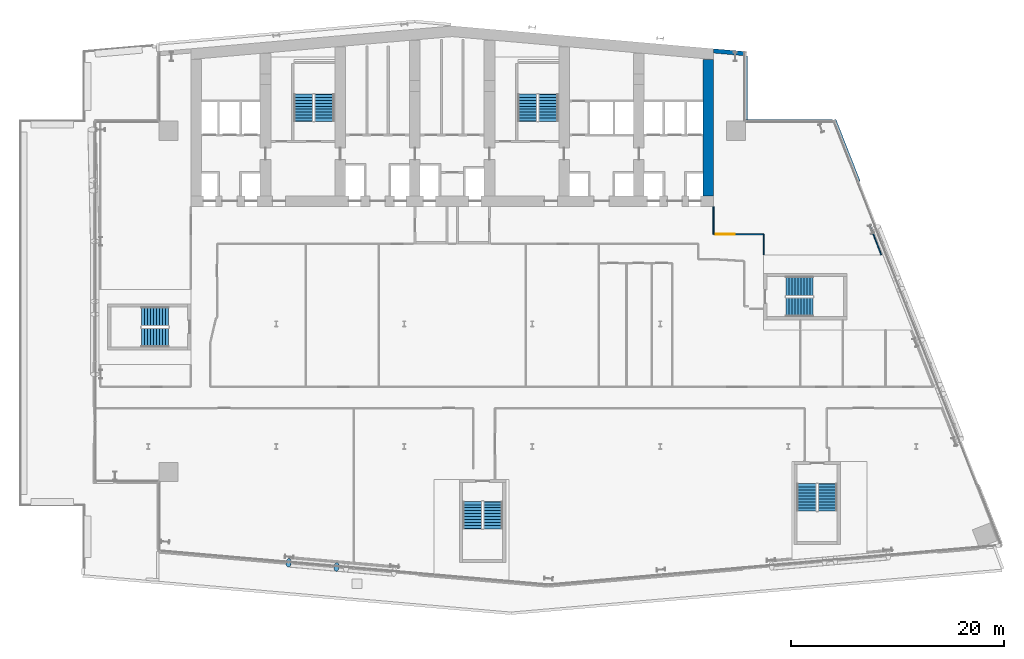
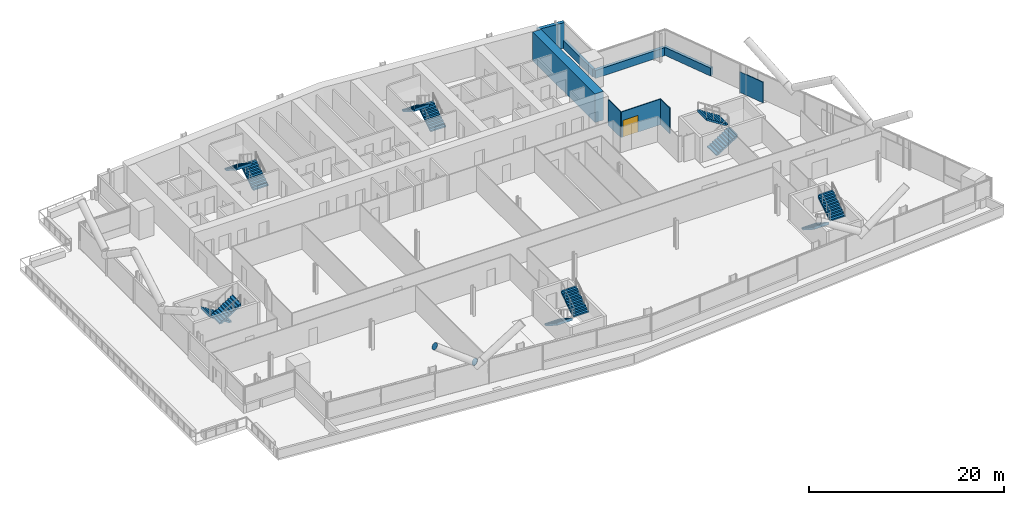
# One storey, part 19 of 26: 12 stair flights, 9 walls, 2 discrete accessories, 1 door, 1 opening, 6 elements without a shape of their own.
"""IFC4 building model written with IfcOpenShell, lengths in metres."""

from ifc_helpers import new_model, si_unit, direction, frame, frame_2d, origin, origin_2d, place, context, subcontext, project, spatial, polyline, rectangle, circle, outline, extrude, material, layer, layer_set, material_profile, profile_set, type_object, element, fill, aggregate, save


model = new_model("IFC4")

# Units and contexts
model_context = context("Model", 3, precision=1e-05, world=origin(), true_north=direction((0.0, 1.0)))
body_context = subcontext(model_context, "Body", "Model", "MODEL_VIEW")
ifc_project = project(units=[si_unit("LENGTHUNIT", "METRE"), si_unit("AREAUNIT", "SQUARE_METRE"), si_unit("VOLUMEUNIT", "CUBIC_METRE"), si_unit("PLANEANGLEUNIT", "RADIAN"), si_unit("MASSUNIT", "GRAM", prefix="KILO")], contexts=[model_context])

# Site, building, storey
site_placement = place(None, origin())
site = spatial("IfcSite", under=ifc_project, at=site_placement, CompositionType="ELEMENT")
building_placement = place(site_placement, origin())
building = spatial("IfcBuilding", under=site, at=building_placement, Name="Wharfspan Tower", CompositionType="ELEMENT")
storey_placement = place(building_placement, frame((0.0, 0.0, 96.699951)))
storey = spatial("IfcBuildingStorey", under=building, at=storey_placement, Name="L21", CompositionType="ELEMENT", Elevation=96.699951)

# Wall
ifc_material_1 = material(Name="Gypsum board on steel studs", Category="steel")
ifc_layer_1 = layer(ifc_material_1, 0.100098)
ifc_layer_set_1 = layer_set([ifc_layer_1], Name="Gypsum board on steel studs")
wall_type_1 = type_object("IfcWallType", Name="Compartment wall 100 EI 60", PredefinedType="PARTITIONING", material=ifc_layer_set_1)
wall_1_placement = place(storey_placement, frame((65.0, 31.399902, 0.0), z_axis=(0.0, 0.0, 1.0), x_axis=(0.0, 1.0, 0.0)))
element("IfcWall", 1, at=wall_1_placement, inside=storey, type_object=wall_type_1, Name="Partition L21.w030", PredefinedType="PARTITIONING", context=body_context, shape_type="SweptSolid", body=[
    extrude(rectangle(XDim=2.580078, YDim=0.100098, at=frame_2d((1.290039, 0.0))), origin(), (0.0, 0.0, 1.0), 3.199951),
])

# Wall, opening, door
wall_2_placement = place(storey_placement, frame((65.0, 31.399902, 0.0), z_axis=(0.0, 0.0, 1.0), x_axis=(1.0, 0.0, 0.0)))
wall_2 = element("IfcWall", 2, at=wall_2_placement, inside=storey, type_object=wall_type_1, Name="Partition L21.w031", PredefinedType="PARTITIONING", context=body_context, shape_type="SweptSolid", body=[
    extrude(rectangle(XDim=4.689941, YDim=0.100098, at=frame_2d((2.344971, 0.0))), origin(), (0.0, 0.0, 1.0), 3.199951),
])
opening_placement = place(wall_2_placement, frame((0.189941, 0.0, 0.0)))
opening = element("IfcOpeningElement", 3, at=opening_placement, cuts=wall_2, Name="Opening B1-17", PredefinedType="OPENING", context=body_context, shape_type="SweptSolid", body=[
    extrude(rectangle(XDim=1.800049, YDim=2.100098, at=frame_2d((0.899902, 1.050049))), frame((0.0, 0.060059, 0.0), z_axis=(0.0, -1.0, 0.0), x_axis=(1.0, 0.0, 0.0)), (0.0, 0.0, 1.0), 0.120117),
])
ifc_material_2 = material(Name="Fire-rated timber door leaf in steel frame", Category="steel")
door_type = type_object("IfcDoorType", Name="Door 1800 FD30S Double", OperationType="DOUBLE_DOOR_SINGLE_SWING", PredefinedType="DOOR", material=ifc_material_2)
door_placement = place(opening_placement, origin())
door = element("IfcDoor", 4, at=door_placement, inside=storey, type_object=door_type, Name="Door B1-17", OperationType="DOUBLE_DOOR_SINGLE_SWING", OverallHeight=2.100098, OverallWidth=1.800049, PredefinedType="DOOR", context=body_context, shape_type="SweptSolid", body=[
    extrude(rectangle(XDim=1.800049, YDim=2.100098, at=frame_2d((0.899902, 1.050049))), frame((0.0, 0.024902, 0.0), z_axis=(0.0, -1.0, 0.0), x_axis=(1.0, 0.0, 0.0)), (0.0, 0.0, 1.0), 0.050049),
])
fill(opening, door)

# Walls
wall_3_placement = place(storey_placement, frame((69.689941, 29.469971, 0.0), z_axis=(0.0, 0.0, 1.0), x_axis=(0.0, 1.0, 0.0)))
element("IfcWall", 5, at=wall_3_placement, inside=storey, type_object=wall_type_1, Name="Partition L21.w036", PredefinedType="PARTITIONING", context=body_context, shape_type="SweptSolid", body=[
    extrude(rectangle(XDim=1.929932, YDim=0.100098, at=frame_2d((0.964844, 0.0))), origin(), (0.0, 0.0, 1.0), 3.199951),
])
ifc_material_3 = material(Name="Concrete C70/85", Category="concrete")
ifc_layer_2 = layer(ifc_material_3, 1.0)
ifc_layer_set_2 = layer_set([ifc_layer_2], Name="Concrete C70/85")
wall_type_2 = type_object("IfcWallType", Name="Core wall 1000 C70/85", PredefinedType="SHEAR", material=ifc_layer_set_2)
wall_4_placement = place(storey_placement, frame((64.5, 35.0, 0.0), z_axis=(0.0, 0.0, 1.0), x_axis=(0.0, 1.0, 0.0)))
element("IfcWall", 6, at=wall_4_placement, inside=storey, type_object=wall_type_2, Name="Core cross wall EW1 L21", PredefinedType="SHEAR", context=body_context, shape_type="SweptSolid", body=[
    extrude(rectangle(XDim=12.783691, YDim=1.0, at=frame_2d((6.391846, 0.0))), origin(), (0.0, 0.0, 1.0), 3.600098),
])
ifc_layer_3 = layer(ifc_material_1, 0.100098)
ifc_layer_set_3 = layer_set([ifc_layer_3], Name="Gypsum board on steel studs")
wall_type_3 = type_object("IfcWallType", Name="Partition 100", PredefinedType="PARTITIONING", material=ifc_layer_set_3)
wall_5_placement = place(storey_placement, frame((80.737061, 29.469971, 0.0), z_axis=(0.0, 0.0, 1.0), x_axis=(-0.366592, 0.930378, 0.0)))
element("IfcWall", 7, at=wall_5_placement, inside=storey, type_object=wall_type_3, Name="Partition L21.w047", PredefinedType="PARTITIONING", context=body_context, shape_type="SweptSolid", body=[
    extrude(rectangle(XDim=3.074219, YDim=0.100098, at=frame_2d((1.537109, 0.0))), origin(), (0.0, 0.0, 1.0), 2.580078),
])
ifc_material_4 = material(Name="Concrete C40/50", Category="concrete")
ifc_layer_4 = layer(ifc_material_4, 0.350098)
ifc_layer_set_4 = layer_set([ifc_layer_4], Name="Concrete C40/50")
wall_type_4 = type_object("IfcWallType", Name="SPANDREL EXPOSED CONCRETE 350", PredefinedType="SOLIDWALL", material=ifc_layer_set_4)
wall_6_placement = place(storey_placement, frame((78.586426, 36.343994, 0.0), z_axis=(0.0, 0.0, 1.0), x_axis=(-0.365792, 0.930699, 0.0)))
element("IfcWall", 8, at=wall_6_placement, inside=storey, type_object=wall_type_4, Name="Spandrel upstand L21 E 2", PredefinedType="SOLIDWALL", context=body_context, shape_type="SweptSolid", body=[
    extrude(rectangle(XDim=6.20166, YDim=0.350098, at=frame_2d((3.10083, 0.0))), origin(), (0.0, 0.0, 1.0), 1.0),
])
wall_7_placement = place(storey_placement, frame((76.155029, 42.004883, 0.0), z_axis=(0.0, 0.0, 1.0), x_axis=(-1.0, 0.0, 0.0)))
element("IfcWall", 9, at=wall_7_placement, inside=storey, type_object=wall_type_4, Name="Spandrel upstand L21 NRE-H", PredefinedType="SOLIDWALL", context=body_context, shape_type="SweptSolid", body=[
    extrude(rectangle(XDim=8.155029, YDim=0.350098, at=frame_2d((4.077637, 0.0))), origin(), (0.0, 0.0, 1.0), 1.0),
])
wall_8_placement = place(storey_placement, frame((68.004883, 42.179932, 0.0), z_axis=(0.0, 0.0, 1.0), x_axis=(0.0, 1.0, 0.0)))
element("IfcWall", 10, at=wall_8_placement, inside=storey, type_object=wall_type_4, Name="Spandrel upstand L21 NRE-V", PredefinedType="SOLIDWALL", context=body_context, shape_type="SweptSolid", body=[
    extrude(rectangle(XDim=5.946533, YDim=0.350098, at=frame_2d((2.973145, 0.0))), origin(), (0.0, 0.0, 1.0), 1.0),
])
ifc_layer_5 = layer(ifc_material_4, 0.399902)
ifc_layer_set_5 = layer_set([ifc_layer_5], Name="Concrete C40/50")
wall_type_5 = type_object("IfcWallType", Name="WALL EXPOSED CONCRETE 400", PredefinedType="SOLIDWALL", material=ifc_layer_set_5)
wall_9_placement = place(storey_placement, frame((67.982666, 48.325684, 0.0), z_axis=(0.0, 0.0, 1.0), x_axis=(-0.996194, 0.087168, 0.0)))
element("IfcWall", 11, at=wall_9_placement, inside=storey, type_object=wall_type_5, Name="Rear wall N2", PredefinedType="SOLIDWALL", context=body_context, shape_type="SweptSolid", body=[
    extrude(rectangle(XDim=2.994141, YDim=0.399902, at=frame_2d((1.49707, 0.0))), origin(), (0.0, 0.0, 1.0), 3.199951),
])

# Stair, stair flights
stair_type = type_object("IfcStairType", Name="Half-turn stair 20 risers 180 mm", PredefinedType="HALF_TURN_STAIR", material=ifc_material_4)
stair_1_placement = place(storey_placement, origin())
stair_1 = element("IfcStair", 12, at=stair_1_placement, inside=storey, type_object=stair_type, Name="L21 stair ST1", PredefinedType="HALF_TURN_STAIR")
stair_flight_type = type_object("IfcStairFlightType", Name="Stair flight 20 risers 180 mm", PredefinedType="STRAIGHT", material=ifc_material_4)
stair_flight_1_placement = place(storey_placement, frame((28.5, 42.0, 0.0), z_axis=(0.0, 0.0, 1.0), x_axis=(0.0, 1.0, 0.0)))
stair_flight_1 = element("IfcStairFlight", 13, at=stair_flight_1_placement, type_object=stair_flight_type, Name="ST1 flight 1", NumberOfRisers=10, NumberOfTreads=9, PredefinedType="STRAIGHT", RiserHeight=0.18, TreadLength=0.28, context=body_context, shape_type="SweptSolid", body=[
    extrude(outline(polyline([(-0.011963, 0.0), (-0.011963, 0.179932), (0.0, 0.179932), (0.280029, 0.179932), (0.280029, 0.360107), (0.560059, 0.360107), (0.560059, 0.540039), (0.840088, 0.540039), (0.840088, 0.719971), (1.120117, 0.719971), (1.120117, 0.899902), (1.399902, 0.899902), (1.399902, 1.080078), (1.679932, 1.080078), (1.679932, 1.26001), (1.959961, 1.26001), (1.959961, 1.439941), (2.23999, 1.439941), (2.23999, 1.620117), (2.52002, 1.620117), (2.531982, 1.800049), (2.531982, 1.441895), (0.2771, 0.0), (-0.011963, 0.0)])), frame((0.0, 0.899902, 0.0), z_axis=(0.0, -1.0, 0.0), x_axis=(1.0, 0.0, 0.0)), (0.0, 0.0, 1.0), 0.899414),
    extrude(outline(polyline([(-0.011963, 0.0), (-0.011963, 0.179932), (0.0, 0.179932), (0.280029, 0.179932), (0.280029, 0.360107), (0.560059, 0.360107), (0.560059, 0.540039), (0.840088, 0.540039), (0.840088, 0.719971), (1.120117, 0.719971), (1.120117, 0.899902), (1.399902, 0.899902), (1.399902, 1.080078), (1.679932, 1.080078), (1.679932, 1.26001), (1.959961, 1.26001), (1.959961, 1.439941), (2.23999, 1.439941), (2.23999, 1.620117), (2.52002, 1.620117), (2.531982, 1.800049), (2.531982, 1.441895), (0.2771, 0.0), (-0.011963, 0.0)])), frame((0.0, -0.000488, 0.0), z_axis=(0.0, -1.0, 0.0), x_axis=(1.0, 0.0, 0.0)), (0.0, 0.0, 1.0), 0.899414),
])
stair_flight_2_placement = place(storey_placement, frame((26.550049, 44.52002, 1.800049), z_axis=(0.0, 0.0, 1.0), x_axis=(0.0, -1.0, 0.0)))
stair_flight_2 = element("IfcStairFlight", 14, at=stair_flight_2_placement, type_object=stair_flight_type, Name="ST1 flight 2", NumberOfRisers=10, NumberOfTreads=9, PredefinedType="STRAIGHT", RiserHeight=0.18, TreadLength=0.28, context=body_context, shape_type="SweptSolid", body=[
    extrude(outline(polyline([(-0.011963, 0.0), (-0.011963, 0.179932), (0.0, 0.179932), (0.280029, 0.179932), (0.280029, 0.360107), (0.560059, 0.360107), (0.560059, 0.540039), (0.840088, 0.540039), (0.840088, 0.719971), (1.120117, 0.719971), (1.120117, 0.899902), (1.399902, 0.899902), (1.399902, 1.080078), (1.679932, 1.080078), (1.679932, 1.26001), (1.959961, 1.26001), (1.959961, 1.439941), (2.23999, 1.439941), (2.23999, 1.620117), (2.52002, 1.620117), (2.531982, 1.800049), (2.531982, 1.441895), (0.2771, 0.0), (-0.011963, 0.0)])), frame((0.0, 0.899902, 0.0), z_axis=(0.0, -1.0, 0.0), x_axis=(1.0, 0.0, 0.0)), (0.0, 0.0, 1.0), 0.899414),
    extrude(outline(polyline([(-0.011963, 0.0), (-0.011963, 0.179932), (0.0, 0.179932), (0.280029, 0.179932), (0.280029, 0.360107), (0.560059, 0.360107), (0.560059, 0.540039), (0.840088, 0.540039), (0.840088, 0.719971), (1.120117, 0.719971), (1.120117, 0.899902), (1.399902, 0.899902), (1.399902, 1.080078), (1.679932, 1.080078), (1.679932, 1.26001), (1.959961, 1.26001), (1.959961, 1.439941), (2.23999, 1.439941), (2.23999, 1.620117), (2.52002, 1.620117), (2.531982, 1.800049), (2.531982, 1.441895), (0.2771, 0.0), (-0.011963, 0.0)])), frame((0.0, -0.000488, 0.0), z_axis=(0.0, -1.0, 0.0), x_axis=(1.0, 0.0, 0.0)), (0.0, 0.0, 1.0), 0.899414),
])
aggregate(stair_1, [stair_flight_1, stair_flight_2])

stair_2_placement = place(storey_placement, origin())
stair_2 = element("IfcStair", 15, at=stair_2_placement, inside=storey, type_object=stair_type, Name="L21 stair ST2", PredefinedType="HALF_TURN_STAIR")
stair_flight_3_placement = place(storey_placement, frame((49.5, 42.0, 0.0), z_axis=(0.0, 0.0, 1.0), x_axis=(0.0, 1.0, 0.0)))
stair_flight_3 = element("IfcStairFlight", 16, at=stair_flight_3_placement, type_object=stair_flight_type, Name="ST2 flight 1", NumberOfRisers=10, NumberOfTreads=9, PredefinedType="STRAIGHT", RiserHeight=0.18, TreadLength=0.28, context=body_context, shape_type="SweptSolid", body=[
    extrude(outline(polyline([(-0.011963, 0.0), (-0.011963, 0.179932), (0.0, 0.179932), (0.280029, 0.179932), (0.280029, 0.360107), (0.560059, 0.360107), (0.560059, 0.540039), (0.840088, 0.540039), (0.840088, 0.719971), (1.120117, 0.719971), (1.120117, 0.899902), (1.399902, 0.899902), (1.399902, 1.080078), (1.679932, 1.080078), (1.679932, 1.26001), (1.959961, 1.26001), (1.959961, 1.439941), (2.23999, 1.439941), (2.23999, 1.620117), (2.52002, 1.620117), (2.531982, 1.800049), (2.531982, 1.441895), (0.2771, 0.0), (-0.011963, 0.0)])), frame((0.0, 0.899902, 0.0), z_axis=(0.0, -1.0, 0.0), x_axis=(1.0, 0.0, 0.0)), (0.0, 0.0, 1.0), 0.899414),
    extrude(outline(polyline([(-0.011963, 0.0), (-0.011963, 0.179932), (0.0, 0.179932), (0.280029, 0.179932), (0.280029, 0.360107), (0.560059, 0.360107), (0.560059, 0.540039), (0.840088, 0.540039), (0.840088, 0.719971), (1.120117, 0.719971), (1.120117, 0.899902), (1.399902, 0.899902), (1.399902, 1.080078), (1.679932, 1.080078), (1.679932, 1.26001), (1.959961, 1.26001), (1.959961, 1.439941), (2.23999, 1.439941), (2.23999, 1.620117), (2.52002, 1.620117), (2.531982, 1.800049), (2.531982, 1.441895), (0.2771, 0.0), (-0.011963, 0.0)])), frame((0.0, -0.000488, 0.0), z_axis=(0.0, -1.0, 0.0), x_axis=(1.0, 0.0, 0.0)), (0.0, 0.0, 1.0), 0.899414),
])
stair_flight_4_placement = place(storey_placement, frame((47.550049, 44.52002, 1.800049), z_axis=(0.0, 0.0, 1.0), x_axis=(0.0, -1.0, 0.0)))
stair_flight_4 = element("IfcStairFlight", 17, at=stair_flight_4_placement, type_object=stair_flight_type, Name="ST2 flight 2", NumberOfRisers=10, NumberOfTreads=9, PredefinedType="STRAIGHT", RiserHeight=0.18, TreadLength=0.28, context=body_context, shape_type="SweptSolid", body=[
    extrude(outline(polyline([(-0.011963, 0.0), (-0.011963, 0.179932), (0.0, 0.179932), (0.280029, 0.179932), (0.280029, 0.360107), (0.560059, 0.360107), (0.560059, 0.540039), (0.840088, 0.540039), (0.840088, 0.719971), (1.120117, 0.719971), (1.120117, 0.899902), (1.399902, 0.899902), (1.399902, 1.080078), (1.679932, 1.080078), (1.679932, 1.26001), (1.959961, 1.26001), (1.959961, 1.439941), (2.23999, 1.439941), (2.23999, 1.620117), (2.52002, 1.620117), (2.531982, 1.800049), (2.531982, 1.441895), (0.2771, 0.0), (-0.011963, 0.0)])), frame((0.0, 0.899902, 0.0), z_axis=(0.0, -1.0, 0.0), x_axis=(1.0, 0.0, 0.0)), (0.0, 0.0, 1.0), 0.899414),
    extrude(outline(polyline([(-0.011963, 0.0), (-0.011963, 0.179932), (0.0, 0.179932), (0.280029, 0.179932), (0.280029, 0.360107), (0.560059, 0.360107), (0.560059, 0.540039), (0.840088, 0.540039), (0.840088, 0.719971), (1.120117, 0.719971), (1.120117, 0.899902), (1.399902, 0.899902), (1.399902, 1.080078), (1.679932, 1.080078), (1.679932, 1.26001), (1.959961, 1.26001), (1.959961, 1.439941), (2.23999, 1.439941), (2.23999, 1.620117), (2.52002, 1.620117), (2.531982, 1.800049), (2.531982, 1.441895), (0.2771, 0.0), (-0.011963, 0.0)])), frame((0.0, -0.000488, 0.0), z_axis=(0.0, -1.0, 0.0), x_axis=(1.0, 0.0, 0.0)), (0.0, 0.0, 1.0), 0.899414),
])
aggregate(stair_2, [stair_flight_3, stair_flight_4])

stair_3_placement = place(storey_placement, origin())
stair_3 = element("IfcStair", 18, at=stair_3_placement, inside=storey, type_object=stair_type, Name="L21 stair ST3", PredefinedType="HALF_TURN_STAIR")
stair_flight_5_placement = place(storey_placement, frame((13.899902, 23.675049, 0.0), z_axis=(0.0, 0.0, 1.0), x_axis=(-1.0, 0.0, 0.0)))
stair_flight_5 = element("IfcStairFlight", 19, at=stair_flight_5_placement, type_object=stair_flight_type, Name="ST3 flight 1", NumberOfRisers=10, NumberOfTreads=9, PredefinedType="STRAIGHT", RiserHeight=0.18, TreadLength=0.28, context=body_context, shape_type="SweptSolid", body=[
    extrude(outline(polyline([(-0.011963, 0.0), (-0.011963, 0.179932), (0.0, 0.179932), (0.280029, 0.179932), (0.280029, 0.360107), (0.560059, 0.360107), (0.560059, 0.540039), (0.840088, 0.540039), (0.840088, 0.719971), (1.120117, 0.719971), (1.120117, 0.899902), (1.399902, 0.899902), (1.399902, 1.080078), (1.679932, 1.080078), (1.679932, 1.26001), (1.959961, 1.26001), (1.959961, 1.439941), (2.23999, 1.439941), (2.23999, 1.620117), (2.52002, 1.620117), (2.531982, 1.800049), (2.531982, 1.441895), (0.2771, 0.0), (-0.011963, 0.0)])), frame((0.0, 0.899902, 0.0), z_axis=(0.0, -1.0, 0.0), x_axis=(1.0, 0.0, 0.0)), (0.0, 0.0, 1.0), 0.899414),
    extrude(outline(polyline([(-0.011963, 0.0), (-0.011963, 0.179932), (0.0, 0.179932), (0.280029, 0.179932), (0.280029, 0.360107), (0.560059, 0.360107), (0.560059, 0.540039), (0.840088, 0.540039), (0.840088, 0.719971), (1.120117, 0.719971), (1.120117, 0.899902), (1.399902, 0.899902), (1.399902, 1.080078), (1.679932, 1.080078), (1.679932, 1.26001), (1.959961, 1.26001), (1.959961, 1.439941), (2.23999, 1.439941), (2.23999, 1.620117), (2.52002, 1.620117), (2.531982, 1.800049), (2.531982, 1.441895), (0.2771, 0.0), (-0.011963, 0.0)])), frame((0.0, -0.000488, 0.0), z_axis=(0.0, -1.0, 0.0), x_axis=(1.0, 0.0, 0.0)), (0.0, 0.0, 1.0), 0.899414),
])
stair_flight_6_placement = place(storey_placement, frame((11.379883, 21.725098, 1.800049), z_axis=(0.0, 0.0, 1.0), x_axis=(1.0, 0.0, 0.0)))
stair_flight_6 = element("IfcStairFlight", 20, at=stair_flight_6_placement, type_object=stair_flight_type, Name="ST3 flight 2", NumberOfRisers=10, NumberOfTreads=9, PredefinedType="STRAIGHT", RiserHeight=0.18, TreadLength=0.28, context=body_context, shape_type="SweptSolid", body=[
    extrude(outline(polyline([(-0.011963, 0.0), (-0.011963, 0.179932), (0.0, 0.179932), (0.280029, 0.179932), (0.280029, 0.360107), (0.560059, 0.360107), (0.560059, 0.540039), (0.840088, 0.540039), (0.840088, 0.719971), (1.120117, 0.719971), (1.120117, 0.899902), (1.399902, 0.899902), (1.399902, 1.080078), (1.679932, 1.080078), (1.679932, 1.26001), (1.959961, 1.26001), (1.959961, 1.439941), (2.23999, 1.439941), (2.23999, 1.620117), (2.52002, 1.620117), (2.531982, 1.800049), (2.531982, 1.441895), (0.2771, 0.0), (-0.011963, 0.0)])), frame((0.0, 0.899902, 0.0), z_axis=(0.0, -1.0, 0.0), x_axis=(1.0, 0.0, 0.0)), (0.0, 0.0, 1.0), 0.899414),
    extrude(outline(polyline([(-0.011963, 0.0), (-0.011963, 0.179932), (0.0, 0.179932), (0.280029, 0.179932), (0.280029, 0.360107), (0.560059, 0.360107), (0.560059, 0.540039), (0.840088, 0.540039), (0.840088, 0.719971), (1.120117, 0.719971), (1.120117, 0.899902), (1.399902, 0.899902), (1.399902, 1.080078), (1.679932, 1.080078), (1.679932, 1.26001), (1.959961, 1.26001), (1.959961, 1.439941), (2.23999, 1.439941), (2.23999, 1.620117), (2.52002, 1.620117), (2.531982, 1.800049), (2.531982, 1.441895), (0.2771, 0.0), (-0.011963, 0.0)])), frame((0.0, -0.000488, 0.0), z_axis=(0.0, -1.0, 0.0), x_axis=(1.0, 0.0, 0.0)), (0.0, 0.0, 1.0), 0.899414),
])
aggregate(stair_3, [stair_flight_5, stair_flight_6])

stair_4_placement = place(storey_placement, origin())
stair_4 = element("IfcStair", 21, at=stair_4_placement, inside=storey, type_object=stair_type, Name="L21 stair ST4", PredefinedType="HALF_TURN_STAIR")
stair_flight_7_placement = place(storey_placement, frame((42.385254, 6.316895, 0.0), z_axis=(0.0, 0.0, 1.0), x_axis=(0.0, -1.0, 0.0)))
stair_flight_7 = element("IfcStairFlight", 22, at=stair_flight_7_placement, type_object=stair_flight_type, Name="ST4 flight 1", NumberOfRisers=10, NumberOfTreads=9, PredefinedType="STRAIGHT", RiserHeight=0.18, TreadLength=0.28, context=body_context, shape_type="SweptSolid", body=[
    extrude(outline(polyline([(-0.011963, 0.0), (-0.011963, 0.179932), (0.0, 0.179932), (0.280029, 0.179932), (0.280029, 0.360107), (0.560059, 0.360107), (0.560059, 0.540039), (0.840088, 0.540039), (0.840088, 0.719971), (1.120117, 0.719971), (1.120117, 0.899902), (1.399902, 0.899902), (1.399902, 1.080078), (1.679932, 1.080078), (1.679932, 1.26001), (1.959961, 1.26001), (1.959961, 1.439941), (2.23999, 1.439941), (2.23999, 1.620117), (2.52002, 1.620117), (2.531982, 1.800049), (2.531982, 1.441895), (0.2771, 0.0), (-0.011963, 0.0)])), frame((0.0, 0.899902, 0.0), z_axis=(0.0, -1.0, 0.0), x_axis=(1.0, 0.0, 0.0)), (0.0, 0.0, 1.0), 0.899414),
    extrude(outline(polyline([(-0.011963, 0.0), (-0.011963, 0.179932), (0.0, 0.179932), (0.280029, 0.179932), (0.280029, 0.360107), (0.560059, 0.360107), (0.560059, 0.540039), (0.840088, 0.540039), (0.840088, 0.719971), (1.120117, 0.719971), (1.120117, 0.899902), (1.399902, 0.899902), (1.399902, 1.080078), (1.679932, 1.080078), (1.679932, 1.26001), (1.959961, 1.26001), (1.959961, 1.439941), (2.23999, 1.439941), (2.23999, 1.620117), (2.52002, 1.620117), (2.531982, 1.800049), (2.531982, 1.441895), (0.2771, 0.0), (-0.011963, 0.0)])), frame((0.0, -0.000488, 0.0), z_axis=(0.0, -1.0, 0.0), x_axis=(1.0, 0.0, 0.0)), (0.0, 0.0, 1.0), 0.899414),
])
stair_flight_8_placement = place(storey_placement, frame((44.335205, 3.796875, 1.800049), z_axis=(0.0, 0.0, 1.0), x_axis=(0.0, 1.0, 0.0)))
stair_flight_8 = element("IfcStairFlight", 23, at=stair_flight_8_placement, type_object=stair_flight_type, Name="ST4 flight 2", NumberOfRisers=10, NumberOfTreads=9, PredefinedType="STRAIGHT", RiserHeight=0.18, TreadLength=0.28, context=body_context, shape_type="SweptSolid", body=[
    extrude(outline(polyline([(-0.011963, 0.0), (-0.011963, 0.179932), (0.0, 0.179932), (0.280029, 0.179932), (0.280029, 0.360107), (0.560059, 0.360107), (0.560059, 0.540039), (0.840088, 0.540039), (0.840088, 0.719971), (1.120117, 0.719971), (1.120117, 0.899902), (1.399902, 0.899902), (1.399902, 1.080078), (1.679932, 1.080078), (1.679932, 1.26001), (1.959961, 1.26001), (1.959961, 1.439941), (2.23999, 1.439941), (2.23999, 1.620117), (2.52002, 1.620117), (2.531982, 1.800049), (2.531982, 1.441895), (0.2771, 0.0), (-0.011963, 0.0)])), frame((0.0, 0.899902, 0.0), z_axis=(0.0, -1.0, 0.0), x_axis=(1.0, 0.0, 0.0)), (0.0, 0.0, 1.0), 0.899414),
    extrude(outline(polyline([(-0.011963, 0.0), (-0.011963, 0.179932), (0.0, 0.179932), (0.280029, 0.179932), (0.280029, 0.360107), (0.560059, 0.360107), (0.560059, 0.540039), (0.840088, 0.540039), (0.840088, 0.719971), (1.120117, 0.719971), (1.120117, 0.899902), (1.399902, 0.899902), (1.399902, 1.080078), (1.679932, 1.080078), (1.679932, 1.26001), (1.959961, 1.26001), (1.959961, 1.439941), (2.23999, 1.439941), (2.23999, 1.620117), (2.52002, 1.620117), (2.531982, 1.800049), (2.531982, 1.441895), (0.2771, 0.0), (-0.011963, 0.0)])), frame((0.0, -0.000488, 0.0), z_axis=(0.0, -1.0, 0.0), x_axis=(1.0, 0.0, 0.0)), (0.0, 0.0, 1.0), 0.899414),
])
aggregate(stair_4, [stair_flight_7, stair_flight_8])

stair_5_placement = place(storey_placement, origin())
stair_5 = element("IfcStair", 24, at=stair_5_placement, inside=storey, type_object=stair_type, Name="L21 stair ST5", PredefinedType="HALF_TURN_STAIR")
stair_flight_9_placement = place(storey_placement, frame((73.740967, 7.994629, 0.0), z_axis=(0.0, 0.0, 1.0), x_axis=(0.0, -1.0, 0.0)))
stair_flight_9 = element("IfcStairFlight", 25, at=stair_flight_9_placement, type_object=stair_flight_type, Name="ST5 flight 1", NumberOfRisers=10, NumberOfTreads=9, PredefinedType="STRAIGHT", RiserHeight=0.18, TreadLength=0.28, context=body_context, shape_type="SweptSolid", body=[
    extrude(outline(polyline([(-0.011963, 0.0), (-0.011963, 0.179932), (0.0, 0.179932), (0.280029, 0.179932), (0.280029, 0.360107), (0.560059, 0.360107), (0.560059, 0.540039), (0.840088, 0.540039), (0.840088, 0.719971), (1.120117, 0.719971), (1.120117, 0.899902), (1.399902, 0.899902), (1.399902, 1.080078), (1.679932, 1.080078), (1.679932, 1.26001), (1.959961, 1.26001), (1.959961, 1.439941), (2.23999, 1.439941), (2.23999, 1.620117), (2.52002, 1.620117), (2.531982, 1.800049), (2.531982, 1.441895), (0.2771, 0.0), (-0.011963, 0.0)])), frame((0.0, 0.899902, 0.0), z_axis=(0.0, -1.0, 0.0), x_axis=(1.0, 0.0, 0.0)), (0.0, 0.0, 1.0), 0.899414),
    extrude(outline(polyline([(-0.011963, 0.0), (-0.011963, 0.179932), (0.0, 0.179932), (0.280029, 0.179932), (0.280029, 0.360107), (0.560059, 0.360107), (0.560059, 0.540039), (0.840088, 0.540039), (0.840088, 0.719971), (1.120117, 0.719971), (1.120117, 0.899902), (1.399902, 0.899902), (1.399902, 1.080078), (1.679932, 1.080078), (1.679932, 1.26001), (1.959961, 1.26001), (1.959961, 1.439941), (2.23999, 1.439941), (2.23999, 1.620117), (2.52002, 1.620117), (2.531982, 1.800049), (2.531982, 1.441895), (0.2771, 0.0), (-0.011963, 0.0)])), frame((0.0, -0.000488, 0.0), z_axis=(0.0, -1.0, 0.0), x_axis=(1.0, 0.0, 0.0)), (0.0, 0.0, 1.0), 0.899414),
])
stair_flight_10_placement = place(storey_placement, frame((75.690918, 5.474609, 1.800049), z_axis=(0.0, 0.0, 1.0), x_axis=(0.0, 1.0, 0.0)))
stair_flight_10 = element("IfcStairFlight", 26, at=stair_flight_10_placement, type_object=stair_flight_type, Name="ST5 flight 2", NumberOfRisers=10, NumberOfTreads=9, PredefinedType="STRAIGHT", RiserHeight=0.18, TreadLength=0.28, context=body_context, shape_type="SweptSolid", body=[
    extrude(outline(polyline([(-0.011963, 0.0), (-0.011963, 0.179932), (0.0, 0.179932), (0.280029, 0.179932), (0.280029, 0.360107), (0.560059, 0.360107), (0.560059, 0.540039), (0.840088, 0.540039), (0.840088, 0.719971), (1.120117, 0.719971), (1.120117, 0.899902), (1.399902, 0.899902), (1.399902, 1.080078), (1.679932, 1.080078), (1.679932, 1.26001), (1.959961, 1.26001), (1.959961, 1.439941), (2.23999, 1.439941), (2.23999, 1.620117), (2.52002, 1.620117), (2.531982, 1.800049), (2.531982, 1.441895), (0.2771, 0.0), (-0.011963, 0.0)])), frame((0.0, 0.899902, 0.0), z_axis=(0.0, -1.0, 0.0), x_axis=(1.0, 0.0, 0.0)), (0.0, 0.0, 1.0), 0.899414),
    extrude(outline(polyline([(-0.011963, 0.0), (-0.011963, 0.179932), (0.0, 0.179932), (0.280029, 0.179932), (0.280029, 0.360107), (0.560059, 0.360107), (0.560059, 0.540039), (0.840088, 0.540039), (0.840088, 0.719971), (1.120117, 0.719971), (1.120117, 0.899902), (1.399902, 0.899902), (1.399902, 1.080078), (1.679932, 1.080078), (1.679932, 1.26001), (1.959961, 1.26001), (1.959961, 1.439941), (2.23999, 1.439941), (2.23999, 1.620117), (2.52002, 1.620117), (2.531982, 1.800049), (2.531982, 1.441895), (0.2771, 0.0), (-0.011963, 0.0)])), frame((0.0, -0.000488, 0.0), z_axis=(0.0, -1.0, 0.0), x_axis=(1.0, 0.0, 0.0)), (0.0, 0.0, 1.0), 0.899414),
])
aggregate(stair_5, [stair_flight_9, stair_flight_10])

stair_6_placement = place(storey_placement, origin())
stair_6 = element("IfcStair", 27, at=stair_6_placement, inside=storey, type_object=stair_type, Name="L21 stair ST6", PredefinedType="HALF_TURN_STAIR")
stair_flight_11_placement = place(storey_placement, frame((71.790283, 24.574951, 0.0), z_axis=(0.0, 0.0, 1.0), x_axis=(1.0, 0.0, 0.0)))
stair_flight_11 = element("IfcStairFlight", 28, at=stair_flight_11_placement, type_object=stair_flight_type, Name="ST6 flight 1", NumberOfRisers=10, NumberOfTreads=9, PredefinedType="STRAIGHT", RiserHeight=0.18, TreadLength=0.28, context=body_context, shape_type="SweptSolid", body=[
    extrude(outline(polyline([(-0.011963, 0.0), (-0.011963, 0.179932), (0.0, 0.179932), (0.280029, 0.179932), (0.280029, 0.360107), (0.560059, 0.360107), (0.560059, 0.540039), (0.840088, 0.540039), (0.840088, 0.719971), (1.120117, 0.719971), (1.120117, 0.899902), (1.399902, 0.899902), (1.399902, 1.080078), (1.679932, 1.080078), (1.679932, 1.26001), (1.959961, 1.26001), (1.959961, 1.439941), (2.23999, 1.439941), (2.23999, 1.620117), (2.52002, 1.620117), (2.531982, 1.800049), (2.531982, 1.441895), (0.2771, 0.0), (-0.011963, 0.0)])), frame((0.0, 0.899902, 0.0), z_axis=(0.0, -1.0, 0.0), x_axis=(1.0, 0.0, 0.0)), (0.0, 0.0, 1.0), 0.899414),
    extrude(outline(polyline([(-0.011963, 0.0), (-0.011963, 0.179932), (0.0, 0.179932), (0.280029, 0.179932), (0.280029, 0.360107), (0.560059, 0.360107), (0.560059, 0.540039), (0.840088, 0.540039), (0.840088, 0.719971), (1.120117, 0.719971), (1.120117, 0.899902), (1.399902, 0.899902), (1.399902, 1.080078), (1.679932, 1.080078), (1.679932, 1.26001), (1.959961, 1.26001), (1.959961, 1.439941), (2.23999, 1.439941), (2.23999, 1.620117), (2.52002, 1.620117), (2.531982, 1.800049), (2.531982, 1.441895), (0.2771, 0.0), (-0.011963, 0.0)])), frame((0.0, -0.000488, 0.0), z_axis=(0.0, -1.0, 0.0), x_axis=(1.0, 0.0, 0.0)), (0.0, 0.0, 1.0), 0.899414),
])
stair_flight_12_placement = place(storey_placement, frame((74.310303, 26.524902, 1.800049), z_axis=(0.0, 0.0, 1.0), x_axis=(-1.0, 0.0, 0.0)))
stair_flight_12 = element("IfcStairFlight", 29, at=stair_flight_12_placement, type_object=stair_flight_type, Name="ST6 flight 2", NumberOfRisers=10, NumberOfTreads=9, PredefinedType="STRAIGHT", RiserHeight=0.18, TreadLength=0.28, context=body_context, shape_type="SweptSolid", body=[
    extrude(outline(polyline([(-0.011963, 0.0), (-0.011963, 0.179932), (0.0, 0.179932), (0.280029, 0.179932), (0.280029, 0.360107), (0.560059, 0.360107), (0.560059, 0.540039), (0.840088, 0.540039), (0.840088, 0.719971), (1.120117, 0.719971), (1.120117, 0.899902), (1.399902, 0.899902), (1.399902, 1.080078), (1.679932, 1.080078), (1.679932, 1.26001), (1.959961, 1.26001), (1.959961, 1.439941), (2.23999, 1.439941), (2.23999, 1.620117), (2.52002, 1.620117), (2.531982, 1.800049), (2.531982, 1.441895), (0.2771, 0.0), (-0.011963, 0.0)])), frame((0.0, 0.899902, 0.0), z_axis=(0.0, -1.0, 0.0), x_axis=(1.0, 0.0, 0.0)), (0.0, 0.0, 1.0), 0.899414),
    extrude(outline(polyline([(-0.011963, 0.0), (-0.011963, 0.179932), (0.0, 0.179932), (0.280029, 0.179932), (0.280029, 0.360107), (0.560059, 0.360107), (0.560059, 0.540039), (0.840088, 0.540039), (0.840088, 0.719971), (1.120117, 0.719971), (1.120117, 0.899902), (1.399902, 0.899902), (1.399902, 1.080078), (1.679932, 1.080078), (1.679932, 1.26001), (1.959961, 1.26001), (1.959961, 1.439941), (2.23999, 1.439941), (2.23999, 1.620117), (2.52002, 1.620117), (2.531982, 1.800049), (2.531982, 1.441895), (0.2771, 0.0), (-0.011963, 0.0)])), frame((0.0, -0.000488, 0.0), z_axis=(0.0, -1.0, 0.0), x_axis=(1.0, 0.0, 0.0)), (0.0, 0.0, 1.0), 0.899414),
])
aggregate(stair_6, [stair_flight_11, stair_flight_12])

# Discrete accessories
ifc_material_5 = material(Name="Steel S460NH", Category="steel")
ifc_material_profile = material_profile(ifc_material_5, circle(Radius=0.406494, at=origin_2d()))
ifc_profile_set = profile_set([ifc_material_profile], Name="Steel S460NH")
discrete_accessory_type = type_object("IfcDiscreteAccessoryType", Name="End plate CHS 813x40", PredefinedType="BRACKET", material=ifc_profile_set)
discrete_accessory_1_placement = place(storey_placement, frame((29.662842, 0.202148, 3.220947), z_axis=(-0.795008, 0.072273, 0.602279), x_axis=(-0.090536, -0.995894, -1e-06)))
element("IfcDiscreteAccessory", 30, at=discrete_accessory_1_placement, inside=storey, type_object=discrete_accessory_type, Name="End plate CHS 813x40", PredefinedType="BRACKET", context=body_context, shape_type="SweptSolid", body=[
    extrude(circle(Radius=0.406494, at=origin_2d()), origin(), (0.0, 0.0, 1.0), 0.010254),
])
discrete_accessory_2_placement = place(storey_placement, frame((25.165283, 0.595703, 6.5), z_axis=(-0.806559, 0.073324, 0.586588), x_axis=(-0.090536, -0.99589, 0.0)))
element("IfcDiscreteAccessory", 31, at=discrete_accessory_2_placement, inside=storey, type_object=discrete_accessory_type, Name="End plate CHS 813x40", PredefinedType="BRACKET", context=body_context, shape_type="SweptSolid", body=[
    extrude(circle(Radius=0.406494, at=origin_2d()), origin(), (0.0, 0.0, 1.0), 0.01001),
])

save(model, "model.ifc")
